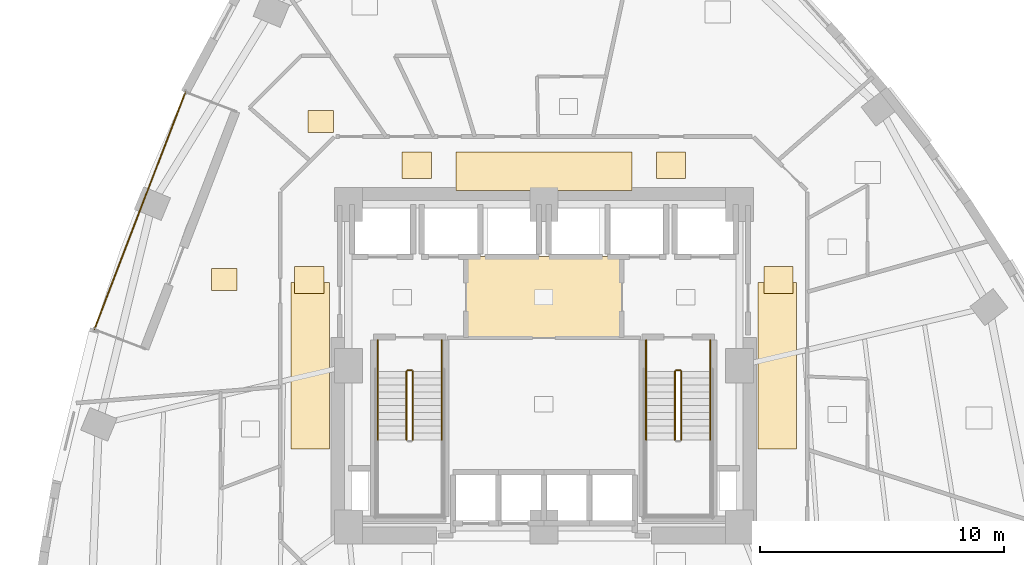
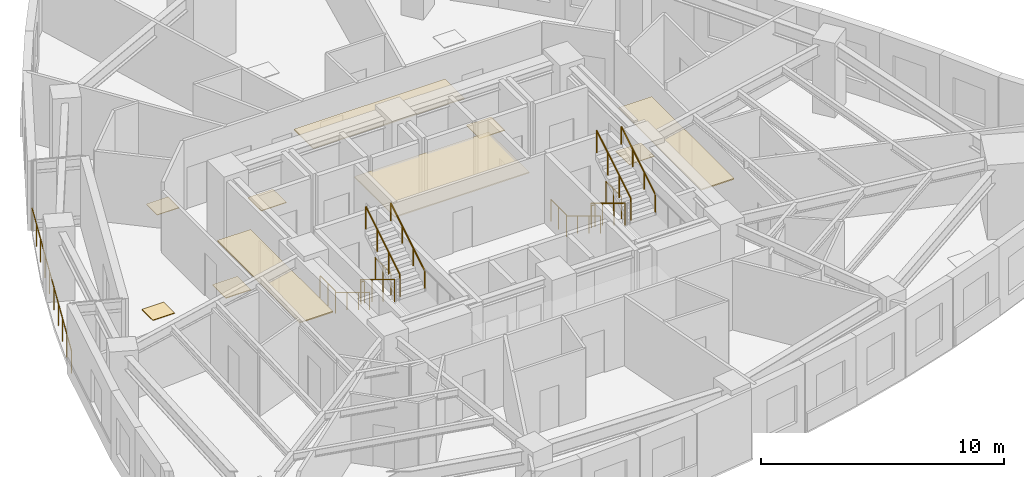
# One storey, part 11 of 12: 15 railings, 10 coverings.
"""IFC4 building model written with IfcOpenShell, lengths in metres."""

from ifc_helpers import new_model, si_unit, direction, frame, origin, origin_2d, place, context, subcontext, project, spatial, rectangle, circle, extrude, material, layer, layer_set, type_object, element, save


model = new_model("IFC4")

# Units and contexts
model_context = context("Model", 3, precision=1e-05, world=origin(), true_north=direction((0.0, 1.0)))
body_context = subcontext(model_context, "Body", "Model", "MODEL_VIEW")
ifc_project = project(units=[si_unit("LENGTHUNIT", "METRE"), si_unit("AREAUNIT", "SQUARE_METRE"), si_unit("VOLUMEUNIT", "CUBIC_METRE"), si_unit("PLANEANGLEUNIT", "RADIAN"), si_unit("MASSUNIT", "GRAM", prefix="KILO")], contexts=[model_context])

# Site, building, storey
site_placement = place(None, origin())
site = spatial("IfcSite", under=ifc_project, at=site_placement, CompositionType="ELEMENT")
building_placement = place(site_placement, origin())
building = spatial("IfcBuilding", under=site, at=building_placement, Name="Ndelora Gate Hotel", CompositionType="ELEMENT")
storey_placement = place(building_placement, frame((0.0, 0.0, 68.0)))
storey = spatial("IfcBuildingStorey", under=building, at=storey_placement, Name="L16", CompositionType="ELEMENT", Elevation=68.0)

# Coverings
ifc_material_1 = material(Name="Perforated Acoustic Gypsum Board", Category="gypsum")
ifc_layer_1 = layer(ifc_material_1, 0.054931640625)
ifc_layer_set_1 = layer_set([ifc_layer_1], Name="Perforated Acoustic Gypsum Board")
covering_type_1 = type_object("IfcCoveringType", Name="COV-CEIL-AC60", PredefinedType="CEILING", material=ifc_layer_set_1)
covering_1_placement = place(storey_placement, frame((0.0, 2.800048828125, 2.72265625), z_axis=(0.0, 0.0, 1.0), x_axis=(1.0, 0.0, 0.0)))
element("IfcCovering", 1, at=covering_1_placement, inside=storey, type_object=covering_type_1, Name="L16 Lift Lobby Acoustic Ceiling", PredefinedType="CEILING", context=body_context, shape_type="SweptSolid", body=[
    extrude(rectangle(XDim=6.39990234375, YDim=3.340087890625, at=origin_2d()), origin(), (0.0, 0.0, 1.0), 0.054931640625),
])
covering_2_placement = place(storey_placement, frame((0.0, 7.9599609375, 2.65234375), z_axis=(0.0, 0.0, 1.0), x_axis=(1.0, 0.0, 0.0)))
element("IfcCovering", 2, at=covering_2_placement, inside=storey, type_object=covering_type_1, Name="L16 Guest Corridor Acoustic Ceiling N", PredefinedType="CEILING", context=body_context, shape_type="SweptSolid", body=[
    extrude(rectangle(XDim=7.199951171875, YDim=1.580078125, at=origin_2d()), origin(), (0.0, 0.0, 1.0), 0.054931640625),
])
for number, where, z_axis, x_axis, name in (
    (3, (-9.550048828125, 0.0, 2.65234375), (0.0, 0.0, 1.0), (1.0, 0.0, 0.0), "L16 Guest Corridor Acoustic Ceiling W"),
    (4, (9.550048828125, 0.0, 2.65234375), (0.0, 0.0, 1.0), (1.0, 0.0, 0.0), "L16 Guest Corridor Acoustic Ceiling E"),
):
    element("IfcCovering", number, at=place(storey_placement, frame(where, z_axis=z_axis, x_axis=x_axis)), inside=storey, type_object=covering_type_1, Name=name, PredefinedType="CEILING", context=body_context, shape_type="SweptSolid", body=[
        extrude(rectangle(XDim=1.580078125, YDim=6.800048828125, at=origin_2d()), origin(), (0.0, 0.0, 1.0), 0.054931640625),
    ])
ifc_material_2 = material(Name="Engineered Highland Oak Parquet", Category="wood")
ifc_layer_2 = layer(ifc_material_2, 0.030029296875)
ifc_layer_set_2 = layer_set([ifc_layer_2], Name="Engineered Highland Oak Parquet")
covering_type_2 = type_object("IfcCoveringType", Name="COV-FLR-PARQ", PredefinedType="FLOORING", material=ifc_layer_set_2)
for number, where, z_axis, x_axis, name in (
    (5, (-13.076904296875, 3.5244140625, 0.0), (0.0, 0.0, 1.0), (1.0, 0.0, 0.0), "L16 Sky Garden Tea Dining Room Oak Parquet Flooring"),
    (6, (-9.129638671875, 9.989990234375, 0.0), (0.0, 0.0, 1.0), (1.0, 0.0, 0.0), "L16 Accessible WC Oak Parquet Flooring"),
):
    element("IfcCovering", number, at=place(storey_placement, frame(where, z_axis=z_axis, x_axis=x_axis)), inside=storey, type_object=covering_type_2, Name=name, PredefinedType="FLOORING", context=body_context, shape_type="SweptSolid", body=[
        extrude(rectangle(XDim=1.050048828125, YDim=0.89990234375, at=origin_2d()), origin(), (0.0, 0.0, 1.0), 0.030029296875),
    ])
ifc_material_3 = material(Name="Polished Highland Stone Terrazzo", Category="masonry")
ifc_layer_3 = layer(ifc_material_3, 0.034912109375)
ifc_layer_set_3 = layer_set([ifc_layer_3], Name="Polished Highland Stone Terrazzo")
covering_type_3 = type_object("IfcCoveringType", Name="COV-FLR-TERZ", PredefinedType="FLOORING", material=ifc_layer_set_3)
for number, where, z_axis, x_axis, name in (
    (7, (-5.199951171875, 8.199951171875, 0.0), (0.0, 0.0, 1.0), (1.0, 0.0, 0.0), "L16 Corridor Threshold Terrazzo Inlay NW"),
    (8, (5.199951171875, 8.199951171875, 0.0), (0.0, 0.0, 1.0), (1.0, 0.0, 0.0), "L16 Corridor Threshold Terrazzo Inlay NE"),
    (9, (-9.60009765625, 3.5, 0.0), (0.0, 0.0, 1.0), (1.0, 0.0, 0.0), "L16 Corridor Threshold Terrazzo Inlay W"),
    (10, (9.60009765625, 3.5, 0.0), (0.0, 0.0, 1.0), (1.0, 0.0, 0.0), "L16 Corridor Threshold Terrazzo Inlay E"),
):
    element("IfcCovering", number, at=place(storey_placement, frame(where, z_axis=z_axis, x_axis=x_axis)), inside=storey, type_object=covering_type_3, Name=name, PredefinedType="FLOORING", context=body_context, shape_type="SweptSolid", body=[
        extrude(rectangle(XDim=1.199951171875, YDim=1.10009765625, at=origin_2d()), origin(), (0.0, 0.0, 1.0), 0.034912109375),
    ])

# Railings
ifc_material_4 = material(Name="Laminated Safety Glass and Bronze Top Rail", Category="glass")
ifc_layer_4 = layer(ifc_material_4, 0.070068359375)
ifc_layer_set_4 = layer_set([ifc_layer_4], Name="Laminated Safety Glass and Bronze Top Rail")
railing_type_1 = type_object("IfcRailingType", Name="RL-BAL-1150", PredefinedType="BALUSTRADE", material=ifc_layer_set_4)
railing_1_placement = place(storey_placement, frame((-14.66259765625, 11.198486328125, 0.0)))
element("IfcRailing", 11, at=railing_1_placement, inside=storey, type_object=railing_type_1, Name="L16 Sky-Garden Loggia Terrace Balustrade", PredefinedType="BALUSTRADE", context=body_context, shape_type="SweptSolid", body=[
    extrude(circle(Radius=0.02392578125, at=origin_2d()), frame((0.0, 0.0, 1.1357421875), z_axis=(-0.35834191059, -0.933590421499, 0.0), x_axis=(0.933590421499, -0.35834191059, 0.0)), (0.0, 0.0, 1.0), 10.400146484375),
    extrude(circle(Radius=0.02099609375, at=origin_2d()), origin(), (0.0, 0.0, 1.0), 1.11181640625),
    extrude(circle(Radius=0.02099609375, at=origin_2d()), frame((-0.4140625, -1.078857421875, 0.0)), (0.0, 0.0, 1.0), 1.11181640625),
    extrude(circle(Radius=0.02099609375, at=origin_2d()), frame((-0.828125, -2.15771484375, 0.0)), (0.0, 0.0, 1.0), 1.11181640625),
    extrude(circle(Radius=0.02099609375, at=origin_2d()), frame((-1.2421875, -3.236572265625, 0.0)), (0.0, 0.0, 1.0), 1.11181640625),
    extrude(circle(Radius=0.02099609375, at=origin_2d()), frame((-1.65625, -4.3154296875, 0.0)), (0.0, 0.0, 1.0), 1.11181640625),
    extrude(circle(Radius=0.02099609375, at=origin_2d()), frame((-2.070556640625, -5.39404296875, 0.0)), (0.0, 0.0, 1.0), 1.11181640625),
    extrude(circle(Radius=0.02099609375, at=origin_2d()), frame((-2.484619140625, -6.472900390625, 0.0)), (0.0, 0.0, 1.0), 1.11181640625),
    extrude(circle(Radius=0.02099609375, at=origin_2d()), frame((-2.898681640625, -7.5517578125, 0.0)), (0.0, 0.0, 1.0), 1.11181640625),
    extrude(circle(Radius=0.02099609375, at=origin_2d()), frame((-3.312744140625, -8.630615234375, 0.0)), (0.0, 0.0, 1.0), 1.11181640625),
    extrude(circle(Radius=0.02099609375, at=origin_2d()), frame((-3.726806640625, -9.70947265625, 0.0)), (0.0, 0.0, 1.0), 1.11181640625),
])
ifc_material_5 = material(Name="Painted Galvanized Steel Balustrade", Category="steel")
ifc_layer_5 = layer(ifc_material_5, 0.06005859375)
ifc_layer_set_5 = layer_set([ifc_layer_5], Name="Painted Galvanized Steel Balustrade")
railing_type_2 = type_object("IfcRailingType", Name="RL-STAIR-GD", PredefinedType="GUARDRAIL", material=ifc_layer_set_5)
railing_2_placement = place(storey_placement, frame((-5.6201171875, -0.22998046875, 0.17041015625)))
element("IfcRailing", 12, at=railing_2_placement, inside=storey, type_object=railing_type_2, Name="L16 ST4 stair guard 1", PredefinedType="GUARDRAIL", context=body_context, shape_type="SweptSolid", body=[
    extrude(circle(Radius=0.02392578125, at=origin_2d()), frame((0.0, 0.0, 1.10595703125), z_axis=(0.0, -0.854169791009, 0.51999420009), x_axis=(1.0, 0.0, 0.0)), (0.0, 0.0, 1.0), 3.278076171875),
    extrude(circle(Radius=0.02099609375, at=origin_2d()), origin(), (0.0, 0.0, 1.0), 1.081787109375),
    extrude(circle(Radius=0.02099609375, at=origin_2d()), frame((0.0, -0.933349609375, 0.568115234375)), (0.0, 0.0, 1.0), 1.081787109375),
    extrude(circle(Radius=0.02099609375, at=origin_2d()), frame((0.0, -1.86669921875, 1.136474609375)), (0.0, 0.0, 1.0), 1.081787109375),
    extrude(circle(Radius=0.02099609375, at=origin_2d()), frame((0.0, -2.800048828125, 1.70458984375)), (0.0, 0.0, 1.0), 1.081787109375),
])
railing_3_placement = place(storey_placement, frame((-5.360107421875, -3.030029296875, 2.04541015625)))
element("IfcRailing", 13, at=railing_3_placement, inside=storey, type_object=railing_type_2, Name="L16 ST4 stair guard 6", PredefinedType="GUARDRAIL", context=body_context, shape_type="SweptSolid", body=[
    extrude(circle(Radius=0.02392578125, at=origin_2d()), frame((0.0, 0.0, 1.10595703125), z_axis=(0.0, 0.854169791009, 0.51999420009), x_axis=(-1.0, 0.0, 0.0)), (0.0, 0.0, 1.0), 3.278076171875),
    extrude(circle(Radius=0.02099609375, at=origin_2d()), origin(), (0.0, 0.0, 1.0), 1.081787109375),
    extrude(circle(Radius=0.02099609375, at=origin_2d()), frame((0.0, 0.933349609375, 0.568115234375)), (0.0, 0.0, 1.0), 1.081787109375),
    extrude(circle(Radius=0.02099609375, at=origin_2d()), frame((0.0, 1.86669921875, 1.136474609375)), (0.0, 0.0, 1.0), 1.081787109375),
    extrude(circle(Radius=0.02099609375, at=origin_2d()), frame((0.0, 2.800048828125, 1.70458984375)), (0.0, 0.0, 1.0), 1.081787109375),
])
railing_4_placement = place(storey_placement, frame((-5.570068359375, -0.179931640625, 0.0)))
element("IfcRailing", 14, at=railing_4_placement, inside=storey, type_object=railing_type_2, Name="L16 ST4 stair guard 7", PredefinedType="GUARDRAIL", context=body_context, shape_type="SweptSolid", body=[
    extrude(circle(Radius=0.02392578125, at=origin_2d()), frame((0.0, 0.0, 1.10595703125), z_axis=(1.0, 0.0, 0.0), x_axis=(0.0, 1.0, 0.0)), (0.0, 0.0, 1.0), 0.16015625),
    extrude(circle(Radius=0.02099609375, at=origin_2d()), origin(), (0.0, 0.0, 1.0), 1.081787109375),
    extrude(circle(Radius=0.02099609375, at=origin_2d()), frame((0.16015625, 0.0, 0.0)), (0.0, 0.0, 1.0), 1.081787109375),
])
for number, where, name in (
    (15, (-6.800048828125, 1.050048828125, 0.0), "L16 ST4 stair guard 8"),
    (16, (-4.179931640625, 1.050048828125, 0.0), "L16 ST4 stair guard 9"),
):
    element("IfcRailing", number, at=place(storey_placement, frame(where)), inside=storey, type_object=railing_type_2, Name=name, PredefinedType="GUARDRAIL", context=body_context, shape_type="SweptSolid", body=[
        extrude(circle(Radius=0.02392578125, at=origin_2d()), frame((0.0, 0.0, 1.10595703125), z_axis=(0.0, -1.0, 0.0), x_axis=(1.0, 0.0, 0.0)), (0.0, 0.0, 1.0), 1.280029296875),
        extrude(circle(Radius=0.02099609375, at=origin_2d()), origin(), (0.0, 0.0, 1.0), 1.081787109375),
        extrude(circle(Radius=0.02099609375, at=origin_2d()), frame((0.0, -0.64013671875, 0.0)), (0.0, 0.0, 1.0), 1.081787109375),
        extrude(circle(Radius=0.02099609375, at=origin_2d()), frame((0.0, -1.280029296875, 0.0)), (0.0, 0.0, 1.0), 1.081787109375),
    ])
railing_5_placement = place(storey_placement, frame((5.360107421875, -0.22998046875, 0.17041015625)))
element("IfcRailing", 17, at=railing_5_placement, inside=storey, type_object=railing_type_2, Name="L16 ST5 stair guard 1", PredefinedType="GUARDRAIL", context=body_context, shape_type="SweptSolid", body=[
    extrude(circle(Radius=0.02392578125, at=origin_2d()), frame((0.0, 0.0, 1.10595703125), z_axis=(0.0, -0.854169791009, 0.51999420009), x_axis=(1.0, 0.0, 0.0)), (0.0, 0.0, 1.0), 3.278076171875),
    extrude(circle(Radius=0.02099609375, at=origin_2d()), origin(), (0.0, 0.0, 1.0), 1.081787109375),
    extrude(circle(Radius=0.02099609375, at=origin_2d()), frame((0.0, -0.933349609375, 0.568115234375)), (0.0, 0.0, 1.0), 1.081787109375),
    extrude(circle(Radius=0.02099609375, at=origin_2d()), frame((0.0, -1.86669921875, 1.136474609375)), (0.0, 0.0, 1.0), 1.081787109375),
    extrude(circle(Radius=0.02099609375, at=origin_2d()), frame((0.0, -2.800048828125, 1.70458984375)), (0.0, 0.0, 1.0), 1.081787109375),
])
railing_6_placement = place(storey_placement, frame((5.6201171875, -3.030029296875, 2.04541015625)))
element("IfcRailing", 18, at=railing_6_placement, inside=storey, type_object=railing_type_2, Name="L16 ST5 stair guard 6", PredefinedType="GUARDRAIL", context=body_context, shape_type="SweptSolid", body=[
    extrude(circle(Radius=0.02392578125, at=origin_2d()), frame((0.0, 0.0, 1.10595703125), z_axis=(0.0, 0.854169791009, 0.51999420009), x_axis=(-1.0, 0.0, 0.0)), (0.0, 0.0, 1.0), 3.278076171875),
    extrude(circle(Radius=0.02099609375, at=origin_2d()), origin(), (0.0, 0.0, 1.0), 1.081787109375),
    extrude(circle(Radius=0.02099609375, at=origin_2d()), frame((0.0, 0.933349609375, 0.568115234375)), (0.0, 0.0, 1.0), 1.081787109375),
    extrude(circle(Radius=0.02099609375, at=origin_2d()), frame((0.0, 1.86669921875, 1.136474609375)), (0.0, 0.0, 1.0), 1.081787109375),
    extrude(circle(Radius=0.02099609375, at=origin_2d()), frame((0.0, 2.800048828125, 1.70458984375)), (0.0, 0.0, 1.0), 1.081787109375),
])
railing_7_placement = place(storey_placement, frame((5.409912109375, -0.179931640625, 0.0)))
element("IfcRailing", 19, at=railing_7_placement, inside=storey, type_object=railing_type_2, Name="L16 ST5 stair guard 7", PredefinedType="GUARDRAIL", context=body_context, shape_type="SweptSolid", body=[
    extrude(circle(Radius=0.02392578125, at=origin_2d()), frame((0.0, 0.0, 1.10595703125), z_axis=(1.0, 0.0, 0.0), x_axis=(0.0, 1.0, 0.0)), (0.0, 0.0, 1.0), 0.16015625),
    extrude(circle(Radius=0.02099609375, at=origin_2d()), origin(), (0.0, 0.0, 1.0), 1.081787109375),
    extrude(circle(Radius=0.02099609375, at=origin_2d()), frame((0.16015625, 0.0, 0.0)), (0.0, 0.0, 1.0), 1.081787109375),
])
for number, where, name in (
    (20, (4.179931640625, 1.050048828125, 0.0), "L16 ST5 stair guard 8"),
    (21, (6.800048828125, 1.050048828125, 0.0), "L16 ST5 stair guard 9"),
):
    element("IfcRailing", number, at=place(storey_placement, frame(where)), inside=storey, type_object=railing_type_2, Name=name, PredefinedType="GUARDRAIL", context=body_context, shape_type="SweptSolid", body=[
        extrude(circle(Radius=0.02392578125, at=origin_2d()), frame((0.0, 0.0, 1.10595703125), z_axis=(0.0, -1.0, 0.0), x_axis=(1.0, 0.0, 0.0)), (0.0, 0.0, 1.0), 1.280029296875),
        extrude(circle(Radius=0.02099609375, at=origin_2d()), origin(), (0.0, 0.0, 1.0), 1.081787109375),
        extrude(circle(Radius=0.02099609375, at=origin_2d()), frame((0.0, -0.64013671875, 0.0)), (0.0, 0.0, 1.0), 1.081787109375),
        extrude(circle(Radius=0.02099609375, at=origin_2d()), frame((0.0, -1.280029296875, 0.0)), (0.0, 0.0, 1.0), 1.081787109375),
    ])
ifc_material_6 = material(Name="Brushed Stainless Steel 316", Category="steel")
ifc_layer_6 = layer(ifc_material_6, 0.050048828125)
ifc_layer_set_6 = layer_set([ifc_layer_6], Name="Brushed Stainless Steel 316")
railing_type_3 = type_object("IfcRailingType", Name="RL-STAIR-HR", PredefinedType="HANDRAIL", material=ifc_layer_set_6)
railing_8_placement = place(storey_placement, frame((-6.800048828125, -0.22998046875, 0.17041015625)))
element("IfcRailing", 22, at=railing_8_placement, inside=storey, type_object=railing_type_3, Name="L16 ST4 stair handrail 1", PredefinedType="HANDRAIL", context=body_context, shape_type="SweptSolid", body=[
    extrude(circle(Radius=0.02392578125, at=origin_2d()), frame((0.0, 0.0, 0.8759765625), z_axis=(0.0, -0.854169791009, 0.51999420009), x_axis=(1.0, 0.0, 0.0)), (0.0, 0.0, 1.0), 3.278076171875),
    extrude(circle(Radius=0.02099609375, at=origin_2d()), origin(), (0.0, 0.0, 1.0), 0.851806640625),
    extrude(circle(Radius=0.02099609375, at=origin_2d()), frame((0.0, -0.933349609375, 0.568115234375)), (0.0, 0.0, 1.0), 0.851806640625),
    extrude(circle(Radius=0.02099609375, at=origin_2d()), frame((0.0, -1.86669921875, 1.136474609375)), (0.0, 0.0, 1.0), 0.851806640625),
    extrude(circle(Radius=0.02099609375, at=origin_2d()), frame((0.0, -2.800048828125, 1.70458984375)), (0.0, 0.0, 1.0), 0.851806640625),
])
railing_9_placement = place(storey_placement, frame((-4.179931640625, -3.030029296875, 2.04541015625)))
element("IfcRailing", 23, at=railing_9_placement, inside=storey, type_object=railing_type_3, Name="L16 ST4 stair handrail 2", PredefinedType="HANDRAIL", context=body_context, shape_type="SweptSolid", body=[
    extrude(circle(Radius=0.02392578125, at=origin_2d()), frame((0.0, 0.0, 0.8759765625), z_axis=(0.0, 0.854169791009, 0.51999420009), x_axis=(-1.0, 0.0, 0.0)), (0.0, 0.0, 1.0), 3.278076171875),
    extrude(circle(Radius=0.02099609375, at=origin_2d()), origin(), (0.0, 0.0, 1.0), 0.851806640625),
    extrude(circle(Radius=0.02099609375, at=origin_2d()), frame((0.0, 0.933349609375, 0.568115234375)), (0.0, 0.0, 1.0), 0.851806640625),
    extrude(circle(Radius=0.02099609375, at=origin_2d()), frame((0.0, 1.86669921875, 1.136474609375)), (0.0, 0.0, 1.0), 0.851806640625),
    extrude(circle(Radius=0.02099609375, at=origin_2d()), frame((0.0, 2.800048828125, 1.70458984375)), (0.0, 0.0, 1.0), 0.851806640625),
])
railing_10_placement = place(storey_placement, frame((4.179931640625, -0.22998046875, 0.17041015625)))
element("IfcRailing", 24, at=railing_10_placement, inside=storey, type_object=railing_type_3, Name="L16 ST5 stair handrail 1", PredefinedType="HANDRAIL", context=body_context, shape_type="SweptSolid", body=[
    extrude(circle(Radius=0.02392578125, at=origin_2d()), frame((0.0, 0.0, 0.8759765625), z_axis=(0.0, -0.854169791009, 0.51999420009), x_axis=(1.0, 0.0, 0.0)), (0.0, 0.0, 1.0), 3.278076171875),
    extrude(circle(Radius=0.02099609375, at=origin_2d()), origin(), (0.0, 0.0, 1.0), 0.851806640625),
    extrude(circle(Radius=0.02099609375, at=origin_2d()), frame((0.0, -0.933349609375, 0.568115234375)), (0.0, 0.0, 1.0), 0.851806640625),
    extrude(circle(Radius=0.02099609375, at=origin_2d()), frame((0.0, -1.86669921875, 1.136474609375)), (0.0, 0.0, 1.0), 0.851806640625),
    extrude(circle(Radius=0.02099609375, at=origin_2d()), frame((0.0, -2.800048828125, 1.70458984375)), (0.0, 0.0, 1.0), 0.851806640625),
])
railing_11_placement = place(storey_placement, frame((6.800048828125, -3.030029296875, 2.04541015625)))
element("IfcRailing", 25, at=railing_11_placement, inside=storey, type_object=railing_type_3, Name="L16 ST5 stair handrail 2", PredefinedType="HANDRAIL", context=body_context, shape_type="SweptSolid", body=[
    extrude(circle(Radius=0.02392578125, at=origin_2d()), frame((0.0, 0.0, 0.8759765625), z_axis=(0.0, 0.854169791009, 0.51999420009), x_axis=(-1.0, 0.0, 0.0)), (0.0, 0.0, 1.0), 3.278076171875),
    extrude(circle(Radius=0.02099609375, at=origin_2d()), origin(), (0.0, 0.0, 1.0), 0.851806640625),
    extrude(circle(Radius=0.02099609375, at=origin_2d()), frame((0.0, 0.933349609375, 0.568115234375)), (0.0, 0.0, 1.0), 0.851806640625),
    extrude(circle(Radius=0.02099609375, at=origin_2d()), frame((0.0, 1.86669921875, 1.136474609375)), (0.0, 0.0, 1.0), 0.851806640625),
    extrude(circle(Radius=0.02099609375, at=origin_2d()), frame((0.0, 2.800048828125, 1.70458984375)), (0.0, 0.0, 1.0), 0.851806640625),
])

save(model, "model.ifc")
